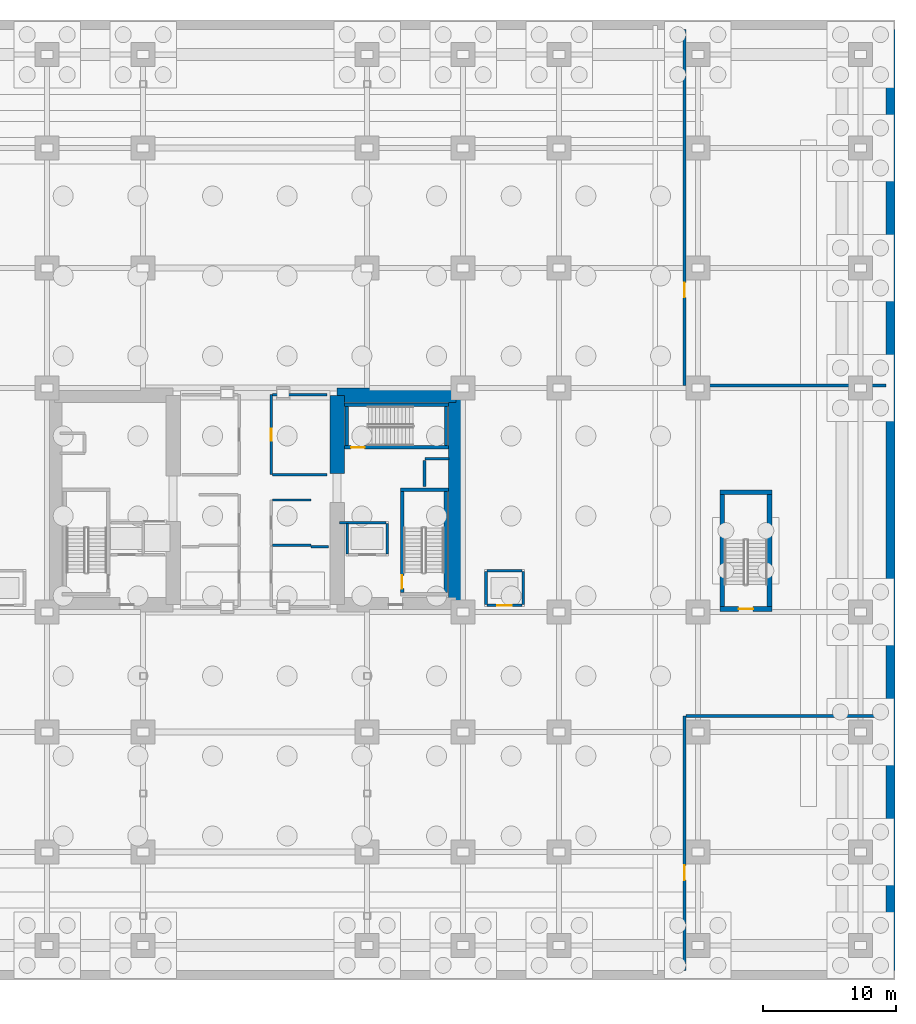
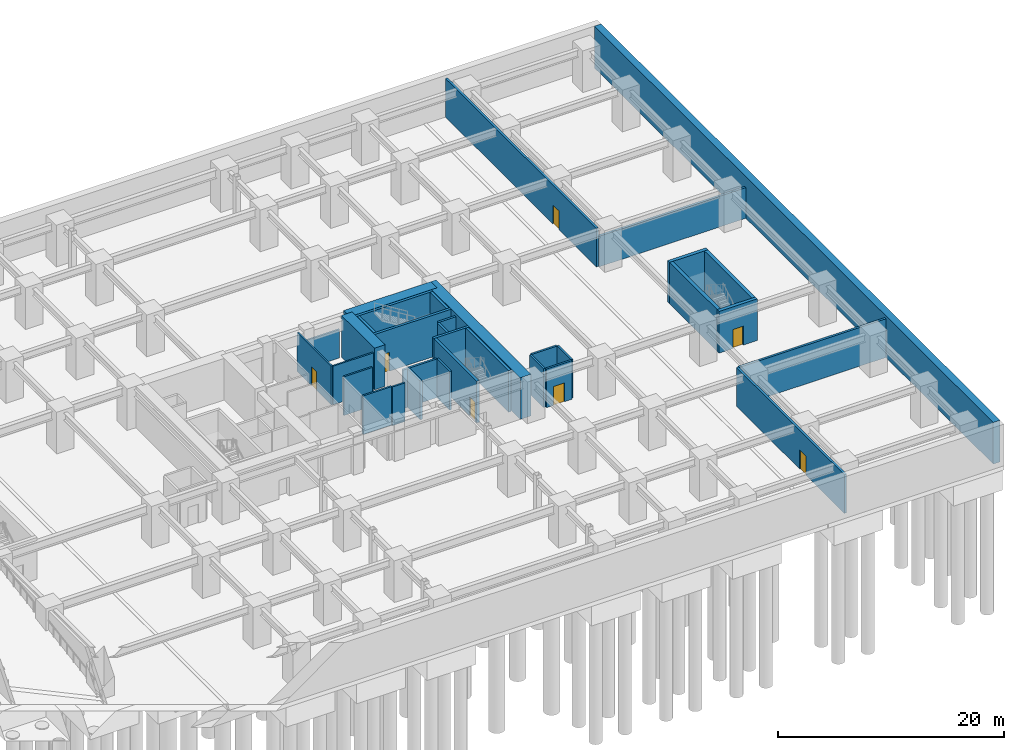
# One storey, part 13 of 23: 34 walls, 7 doors, 7 openings.
"""IFC4 building model written with IfcOpenShell, lengths in metres."""

from ifc_helpers import new_model, si_unit, direction, frame, frame_2d, origin, place, context, subcontext, project, spatial, rectangle, extrude, material, layer, layer_set, type_object, element, fill, save


model = new_model("IFC4")

# Units and contexts
model_context = context("Model", 3, precision=1e-05, world=origin(), true_north=direction((0.0, 1.0)))
body_context = subcontext(model_context, "Body", "Model", "MODEL_VIEW")
ifc_project = project(units=[si_unit("LENGTHUNIT", "METRE"), si_unit("AREAUNIT", "SQUARE_METRE"), si_unit("VOLUMEUNIT", "CUBIC_METRE"), si_unit("PLANEANGLEUNIT", "RADIAN"), si_unit("MASSUNIT", "GRAM", prefix="KILO")], contexts=[model_context])

# Site, building, storey
site_placement = place(None, origin())
site = spatial("IfcSite", under=ifc_project, at=site_placement, CompositionType="ELEMENT")
building_placement = place(site_placement, origin())
building = spatial("IfcBuilding", under=site, at=building_placement, Name="Kiyonajd Concourse Tower", CompositionType="ELEMENT")
storey_placement = place(building_placement, frame((0.0, 0.0, -9.0)))
storey = spatial("IfcBuildingStorey", under=building, at=storey_placement, Name="B2", CompositionType="ELEMENT", Elevation=-9.0)

# Walls
ifc_material_1 = material(Name="Concrete C80/95", Category="concrete")
ifc_layer_1 = layer(ifc_material_1, 1.10009765625)
ifc_layer_set_1 = layer_set([ifc_layer_1], Name="Concrete C80/95")
wall_type_1 = type_object("IfcWallType", Name="WL-CORE-1100", PredefinedType="SHEAR", material=ifc_layer_set_1)
wall_1_placement = place(storey_placement, frame((54.14990234375, 38.0, 0.0), z_axis=(0.0, 0.0, 1.0), x_axis=(0.0, 1.0, 0.0)))
element("IfcWall", 1, at=wall_1_placement, inside=storey, type_object=wall_type_1, Name="B2 East Core Inner North Shear Wall", PredefinedType="SHEAR", context=body_context, shape_type="SweptSolid", body=[
    extrude(rectangle(XDim=5.85009765625, YDim=1.10009765625, at=frame_2d((2.925048828125, 0.0))), origin(), (0.0, 0.0, 1.0), 4.5),
])
wall_2_placement = place(storey_placement, frame((63.050048828125, 27.60009765625, 0.0), z_axis=(0.0, 0.0, 1.0), x_axis=(0.0, 1.0, 0.0)))
element("IfcWall", 2, at=wall_2_placement, inside=storey, type_object=wall_type_1, Name="B2 East Core Outer Shear Wall", PredefinedType="SHEAR", context=body_context, shape_type="SweptSolid", body=[
    extrude(rectangle(XDim=16.7998046875, YDim=1.10009765625, at=frame_2d((8.39990234375, 0.0))), origin(), (0.0, 0.0, 1.0), 4.5),
])
wall_3_placement = place(storey_placement, frame((54.14990234375, 43.85009765625, 0.0), z_axis=(0.0, 0.0, 1.0), x_axis=(1.0, 0.0, 0.0)))
element("IfcWall", 3, at=wall_3_placement, inside=storey, type_object=wall_type_1, Name="B2 East Core North Shear Wall", PredefinedType="SHEAR", context=body_context, shape_type="SweptSolid", body=[
    extrude(rectangle(XDim=8.900146484375, YDim=1.10009765625, at=frame_2d((4.4501953125, 0.0))), origin(), (0.0, 0.0, 1.0), 4.5),
])

# Wall, opening, door
ifc_material_2 = material(Name="Gypsum Board on Cold-Formed Steel Stud", Category="steel")
ifc_layer_2 = layer(ifc_material_2, 0.22998046875)
ifc_layer_set_2 = layer_set([ifc_layer_2], Name="Gypsum Board on Cold-Formed Steel Stud")
wall_type_2 = type_object("IfcWallType", Name="WL-FIRE-230", PredefinedType="PARTITIONING", material=ifc_layer_set_2)
wall_4_placement = place(storey_placement, frame((80.199951171875, 0.695068359375, 0.0), z_axis=(0.0, 0.0, 1.0), x_axis=(0.0, 1.0, 0.0)))
wall_4 = element("IfcWall", 4, at=wall_4_placement, inside=storey, type_object=wall_type_2, Name="B2 Interior Partition Wall", PredefinedType="PARTITIONING", context=body_context, shape_type="SweptSolid", body=[
    extrude(rectangle(XDim=19.10498046875, YDim=0.22998046875, at=frame_2d((9.552490234375, 0.0))), origin(), (0.0, 0.0, 1.0), 4.179931640625),
])
opening_1_placement = place(wall_4_placement, frame((6.804931640625, 0.0, 0.0)))
opening_1 = element("IfcOpeningElement", 5, at=opening_1_placement, cuts=wall_4, Name="Opening DF2", PredefinedType="OPENING", context=body_context, shape_type="SweptSolid", body=[
    extrude(rectangle(XDim=1.10009765625, YDim=2.050048828125, at=frame_2d((0.550048828125, 1.02490234375))), frame((0.0, 0.125, 0.0), z_axis=(0.0, -1.0, 0.0), x_axis=(1.0, 0.0, 0.0)), (0.0, 0.0, 1.0), 0.25),
])
ifc_material_3 = material(Name="Brushed Stainless Steel Cab Assembly", Category="steel")
door_type_1 = type_object("IfcDoorType", Name="DR-FD90-1100", OperationType="NOTDEFINED", PredefinedType="DOOR", material=ifc_material_3)
door_1_placement = place(opening_1_placement, origin())
door_1 = element("IfcDoor", 6, at=door_1_placement, inside=storey, type_object=door_type_1, Name="B2 Interior Door", OperationType="SINGLE_SWING_LEFT", OverallHeight=2.050048828125, OverallWidth=1.10009765625, PredefinedType="DOOR", context=body_context, shape_type="SweptSolid", body=[
    extrude(rectangle(XDim=1.10009765625, YDim=2.050048828125, at=frame_2d((0.550048828125, 1.02490234375))), frame((0.0, 0.02490234375, 0.0), z_axis=(0.0, -1.0, 0.0), x_axis=(1.0, 0.0, 0.0)), (0.0, 0.0, 1.0), 0.050048828125),
])
fill(opening_1, door_1)

# Wall
wall_5_placement = place(storey_placement, frame((80.31689453125, 19.800048828125, 0.0), z_axis=(0.0, 0.0, 1.0), x_axis=(1.0, 0.0, 0.0)))
element("IfcWall", 7, at=wall_5_placement, inside=storey, type_object=wall_type_2, Name="B2 Interior Partition Wall", PredefinedType="PARTITIONING", context=body_context, shape_type="SweptSolid", body=[
    extrude(rectangle(XDim=14.988037109375, YDim=0.22998046875, at=frame_2d((7.494140625, 0.0))), origin(), (0.0, 0.0, 1.0), 4.179931640625),
])

# Wall, opening, door
wall_6_placement = place(storey_placement, frame((80.199951171875, 44.60009765625, 0.0), z_axis=(0.0, 0.0, 1.0), x_axis=(0.0, 1.0, 0.0)))
wall_6 = element("IfcWall", 8, at=wall_6_placement, inside=storey, type_object=wall_type_2, Name="B2 Interior Partition Wall", PredefinedType="PARTITIONING", context=body_context, shape_type="SweptSolid", body=[
    extrude(rectangle(XDim=26.704833984375, YDim=0.22998046875, at=frame_2d((13.3525390625, 0.0))), origin(), (0.0, 0.0, 1.0), 4.179931640625),
])
opening_2_placement = place(wall_6_placement, frame((6.60009765625, 0.0, 0.0)))
opening_2 = element("IfcOpeningElement", 9, at=opening_2_placement, cuts=wall_6, Name="Opening DF2", PredefinedType="OPENING", context=body_context, shape_type="SweptSolid", body=[
    extrude(rectangle(XDim=1.10009765625, YDim=2.050048828125, at=frame_2d((0.550048828125, 1.02490234375))), frame((0.0, 0.125, 0.0), z_axis=(0.0, -1.0, 0.0), x_axis=(1.0, 0.0, 0.0)), (0.0, 0.0, 1.0), 0.25),
])
door_2_placement = place(opening_2_placement, origin())
door_2 = element("IfcDoor", 10, at=door_2_placement, inside=storey, type_object=door_type_1, Name="B2 Interior Door", OperationType="SINGLE_SWING_RIGHT", OverallHeight=2.050048828125, OverallWidth=1.10009765625, PredefinedType="DOOR", context=body_context, shape_type="SweptSolid", body=[
    extrude(rectangle(XDim=1.10009765625, YDim=2.050048828125, at=frame_2d((0.550048828125, 1.02490234375))), frame((0.0, 0.02490234375, 0.0), z_axis=(0.0, -1.0, 0.0), x_axis=(1.0, 0.0, 0.0)), (0.0, 0.0, 1.0), 0.050048828125),
])
fill(opening_2, door_2)

# Walls
wall_7_placement = place(storey_placement, frame((80.31689453125, 44.60009765625, 0.0), z_axis=(0.0, 0.0, 1.0), x_axis=(1.0, 0.0, 0.0)))
element("IfcWall", 11, at=wall_7_placement, inside=storey, type_object=wall_type_2, Name="B2 Interior Partition Wall", PredefinedType="PARTITIONING", context=body_context, shape_type="SweptSolid", body=[
    extrude(rectangle(XDim=14.988037109375, YDim=0.22998046875, at=frame_2d((7.494140625, 0.0))), origin(), (0.0, 0.0, 1.0), 3.31005859375),
])
ifc_material_4 = material(Name="Concrete C50/60", Category="concrete")
ifc_layer_3 = layer(ifc_material_4, 0.699951171875)
ifc_layer_set_3 = layer_set([ifc_layer_3], Name="Concrete C50/60")
wall_type_3 = type_object("IfcWallType", Name="WL-RET-700", PredefinedType="SOLIDWALL", material=ifc_layer_set_3)
wall_8_placement = place(storey_placement, frame((95.64990234375, 0.699951171875, 0.0), z_axis=(0.0, 0.0, 1.0), x_axis=(0.0, 1.0, 0.0)))
element("IfcWall", 12, at=wall_8_placement, inside=storey, type_object=wall_type_3, Name="B2 East Basement Retaining Wall", PredefinedType="SOLIDWALL", context=body_context, shape_type="SweptSolid", body=[
    extrude(rectangle(XDim=70.60009765625, YDim=0.699951171875, at=frame_2d((35.300048828125, 0.0))), origin(), (0.0, 0.0, 1.0), 4.5),
])
ifc_layer_4 = layer(ifc_material_2, 0.2099609375)
ifc_layer_set_4 = layer_set([ifc_layer_4], Name="Gypsum Board on Cold-Formed Steel Stud")
wall_type_4 = type_object("IfcWallType", Name="WL-SHAFT-210", PredefinedType="PARTITIONING", material=ifc_layer_set_4)
wall_9_placement = place(storey_placement, frame((60.719970703125, 39.10009765625, 0.0), z_axis=(0.0, 0.0, 1.0), x_axis=(1.0, 0.0, 0.0)))
element("IfcWall", 13, at=wall_9_placement, inside=storey, type_object=wall_type_4, Name="B2 Shaft Enclosure Wall", PredefinedType="PARTITIONING", context=body_context, shape_type="SweptSolid", body=[
    extrude(rectangle(XDim=1.800048828125, YDim=0.2099609375, at=frame_2d((0.89990234375, 0.0))), origin(), (0.0, 0.0, 1.0), 4.179931640625),
])
wall_10_placement = place(storey_placement, frame((60.699951171875, 37.02001953125, 0.0), z_axis=(0.0, 0.0, 1.0), x_axis=(0.0, 1.0, 0.0)))
element("IfcWall", 14, at=wall_10_placement, inside=storey, type_object=wall_type_4, Name="B2 Shaft Enclosure Wall", PredefinedType="PARTITIONING", context=body_context, shape_type="SweptSolid", body=[
    extrude(rectangle(XDim=1.9599609375, YDim=0.2099609375, at=frame_2d((0.97998046875, 0.0))), origin(), (0.0, 0.0, 1.0), 4.179931640625),
])
wall_11_placement = place(storey_placement, frame((54.320068359375, 34.300048828125, 0.0), z_axis=(0.0, 0.0, 1.0), x_axis=(1.0, 0.0, 0.0)))
element("IfcWall", 15, at=wall_11_placement, inside=storey, type_object=wall_type_4, Name="B2 Shaft Enclosure Wall", PredefinedType="PARTITIONING", context=body_context, shape_type="SweptSolid", body=[
    extrude(rectangle(XDim=3.47998046875, YDim=0.2099609375, at=frame_2d((1.739990234375, 0.0))), origin(), (0.0, 0.0, 1.0), 4.179931640625),
])
for number, where, z_axis, x_axis, name in (
    (16, (54.89990234375, 31.9599609375, 0.0), (0.0, 0.0, 1.0), (0.0, 1.0, 0.0), "B2 Shaft Enclosure Wall"),
    (17, (57.89990234375, 31.9599609375, 0.0), (0.0, 0.0, 1.0), (0.0, 1.0, 0.0), "B2 Shaft Enclosure Wall"),
):
    element("IfcWall", number, at=place(storey_placement, frame(where, z_axis=z_axis, x_axis=x_axis)), inside=storey, type_object=wall_type_4, Name=name, PredefinedType="PARTITIONING", context=body_context, shape_type="SweptSolid", body=[
        extrude(rectangle(XDim=2.280029296875, YDim=0.2099609375, at=frame_2d((1.14013671875, 0.0))), origin(), (0.0, 0.0, 1.0), 4.179931640625),
    ])

# Wall, opening, door
wall_12_placement = place(storey_placement, frame((65.39990234375, 28.10009765625, 0.0), z_axis=(0.0, 0.0, 1.0), x_axis=(1.0, 0.0, 0.0)))
wall_12 = element("IfcWall", 18, at=wall_12_placement, inside=storey, type_object=wall_type_4, Name="B2 Shaft Enclosure Wall", PredefinedType="PARTITIONING", context=body_context, shape_type="SweptSolid", body=[
    extrude(rectangle(XDim=2.60009765625, YDim=0.2099609375, at=frame_2d((1.300048828125, 0.0))), origin(), (0.0, 0.0, 1.0), 4.179931640625),
])
opening_3_placement = place(wall_12_placement, frame((0.75, 0.0, 0.0)))
opening_3 = element("IfcOpeningElement", 19, at=opening_3_placement, cuts=wall_12, Name="Opening LD1", PredefinedType="OPENING", context=body_context, shape_type="SweptSolid", body=[
    extrude(rectangle(XDim=1.10009765625, YDim=2.0400390625, at=frame_2d((0.550048828125, 1.02001953125))), frame((0.0, 0.114990234375, 0.0), z_axis=(0.0, -1.0, 0.0), x_axis=(1.0, 0.0, 0.0)), (0.0, 0.0, 1.0), 0.22998046875),
])
door_type_2 = type_object("IfcDoorType", Name="DR-LD-1100", OperationType="DOUBLE_DOOR_SLIDING", PredefinedType="DOOR", material=ifc_material_3)
door_3_placement = place(opening_3_placement, origin())
door_3 = element("IfcDoor", 20, at=door_3_placement, inside=storey, type_object=door_type_2, Name="B2 Lift PD2 Sliding Landing Door", OperationType="DOUBLE_DOOR_SLIDING", OverallHeight=2.0400390625, OverallWidth=1.10009765625, PredefinedType="DOOR", context=body_context, shape_type="SweptSolid", body=[
    extrude(rectangle(XDim=1.10009765625, YDim=2.0400390625, at=frame_2d((0.550048828125, 1.02001953125))), frame((0.0, 0.02490234375, 0.0), z_axis=(0.0, -1.0, 0.0), x_axis=(1.0, 0.0, 0.0)), (0.0, 0.0, 1.0), 0.050048828125),
])
fill(opening_3, door_3)

# Walls
wall_13_placement = place(storey_placement, frame((65.39990234375, 30.699951171875, 0.0), z_axis=(0.0, 0.0, 1.0), x_axis=(1.0, 0.0, 0.0)))
element("IfcWall", 21, at=wall_13_placement, inside=storey, type_object=wall_type_4, Name="B2 Shaft Enclosure Wall", PredefinedType="PARTITIONING", context=body_context, shape_type="SweptSolid", body=[
    extrude(rectangle(XDim=2.60009765625, YDim=0.2099609375, at=frame_2d((1.300048828125, 0.0))), origin(), (0.0, 0.0, 1.0), 4.179931640625),
])
for number, where, z_axis, x_axis, name in (
    (22, (65.300048828125, 28.159912109375, 0.0), (0.0, 0.0, 1.0), (0.0, 1.0, 0.0), "B2 Shaft Enclosure Wall"),
    (23, (68.10009765625, 28.159912109375, 0.0), (0.0, 0.0, 1.0), (0.0, 1.0, 0.0), "B2 Shaft Enclosure Wall"),
):
    element("IfcWall", number, at=place(storey_placement, frame(where, z_axis=z_axis, x_axis=x_axis)), inside=storey, type_object=wall_type_4, Name=name, PredefinedType="PARTITIONING", context=body_context, shape_type="SweptSolid", body=[
        extrude(rectangle(XDim=2.47998046875, YDim=0.2099609375, at=frame_2d((1.239990234375, 0.0))), origin(), (0.0, 0.0, 1.0), 4.179931640625),
    ])
ifc_layer_5 = layer(ifc_material_2, 0.169921875)
ifc_layer_set_5 = layer_set([ifc_layer_5], Name="Gypsum Board on Cold-Formed Steel Stud")
wall_type_5 = type_object("IfcWallType", Name="WL-SMK-170", PredefinedType="PARTITIONING", material=ifc_layer_set_5)
for number, where, z_axis, x_axis, name in (
    (24, (49.287109375, 32.60009765625, 0.0), (0.0, 0.0, 1.0), (1.0, 0.0, 0.0), "B2 Interior Partition Wall"),
    (25, (49.287109375, 36.0, 0.0), (0.0, 0.0, 1.0), (1.0, 0.0, 0.0), "B2 Interior Partition Wall"),
):
    element("IfcWall", number, at=place(storey_placement, frame(where, z_axis=z_axis, x_axis=x_axis)), inside=storey, type_object=wall_type_5, Name=name, PredefinedType="PARTITIONING", context=body_context, shape_type="SweptSolid", body=[
        extrude(rectangle(XDim=2.912841796875, YDim=0.169921875, at=frame_2d((1.45654296875, 0.0))), origin(), (0.0, 0.0, 1.0), 4.179931640625),
    ])
wall_14_placement = place(storey_placement, frame((52.199951171875, 32.5, 0.0), z_axis=(0.0, 0.0, 1.0), x_axis=(1.0, 0.0, 0.0)))
element("IfcWall", 26, at=wall_14_placement, inside=storey, type_object=wall_type_5, Name="B2 Interior Partition Wall", PredefinedType="PARTITIONING", context=body_context, shape_type="SweptSolid", body=[
    extrude(rectangle(XDim=1.300048828125, YDim=0.169921875, at=frame_2d((0.64990234375, 0.0))), origin(), (0.0, 0.0, 1.0), 4.179931640625),
])

# Wall, opening, door
wall_15_placement = place(storey_placement, frame((49.199951171875, 37.89990234375, 0.0), z_axis=(0.0, 0.0, 1.0), x_axis=(0.0, 1.0, 0.0)))
wall_15 = element("IfcWall", 27, at=wall_15_placement, inside=storey, type_object=wall_type_5, Name="B2 Interior Partition Wall", PredefinedType="PARTITIONING", context=body_context, shape_type="SweptSolid", body=[
    extrude(rectangle(XDim=6.0, YDim=0.169921875, at=frame_2d((3.0, 0.0))), origin(), (0.0, 0.0, 1.0), 4.179931640625),
])
opening_4_placement = place(wall_15_placement, frame((2.550048828125, 0.0, 0.0)))
opening_4 = element("IfcOpeningElement", 28, at=opening_4_placement, cuts=wall_15, Name="Opening DI2", PredefinedType="OPENING", context=body_context, shape_type="SweptSolid", body=[
    extrude(rectangle(XDim=0.89990234375, YDim=2.02001953125, at=frame_2d((0.449951171875, 1.010009765625))), frame((0.0, 0.094970703125, 0.0), z_axis=(0.0, -1.0, 0.0), x_axis=(1.0, 0.0, 0.0)), (0.0, 0.0, 1.0), 0.18994140625),
])
ifc_material_5 = material(Name="Natural Oak Acoustic Timber Veneer", Category="wood")
door_type_3 = type_object("IfcDoorType", Name="DR-INT-900", OperationType="NOTDEFINED", PredefinedType="DOOR", material=ifc_material_5)
door_4_placement = place(opening_4_placement, origin())
door_4 = element("IfcDoor", 29, at=door_4_placement, inside=storey, type_object=door_type_3, Name="B2 Interior Door", OperationType="SINGLE_SWING_RIGHT", OverallHeight=2.02001953125, OverallWidth=0.89990234375, PredefinedType="DOOR", context=body_context, shape_type="SweptSolid", body=[
    extrude(rectangle(XDim=0.89990234375, YDim=2.02001953125, at=frame_2d((0.449951171875, 1.010009765625))), frame((0.0, 0.02490234375, 0.0), z_axis=(0.0, -1.0, 0.0), x_axis=(1.0, 0.0, 0.0)), (0.0, 0.0, 1.0), 0.050048828125),
])
fill(opening_4, door_4)

# Walls
wall_16_placement = place(storey_placement, frame((49.287109375, 37.89990234375, 0.0), z_axis=(0.0, 0.0, 1.0), x_axis=(1.0, 0.0, 0.0)))
element("IfcWall", 30, at=wall_16_placement, inside=storey, type_object=wall_type_5, Name="B2 Interior Partition Wall", PredefinedType="PARTITIONING", context=body_context, shape_type="SweptSolid", body=[
    extrude(rectangle(XDim=4.11279296875, YDim=0.169921875, at=frame_2d((2.056396484375, 0.0))), origin(), (0.0, 0.0, 1.0), 4.179931640625),
])
wall_17_placement = place(storey_placement, frame((49.287109375, 43.89990234375, 0.0), z_axis=(0.0, 0.0, 1.0), x_axis=(1.0, 0.0, 0.0)))
element("IfcWall", 31, at=wall_17_placement, inside=storey, type_object=wall_type_5, Name="B2 Interior Partition Wall", PredefinedType="PARTITIONING", context=body_context, shape_type="SweptSolid", body=[
    extrude(rectangle(XDim=4.11279296875, YDim=0.169921875, at=frame_2d((2.056396484375, 0.0))), origin(), (0.0, 0.0, 1.0), 3.06494140625),
])
ifc_layer_6 = layer(ifc_material_4, 0.260009765625)
ifc_layer_set_6 = layer_set([ifc_layer_6], Name="Concrete C50/60")
wall_type_6 = type_object("IfcWallType", Name="WL-STAIR-260", PredefinedType="SHEAR", material=ifc_layer_set_6)
wall_18_placement = place(storey_placement, frame((58.889892578125, 36.780029296875, 0.0), z_axis=(0.0, 0.0, 1.0), x_axis=(1.0, 0.0, 0.0)))
element("IfcWall", 32, at=wall_18_placement, inside=storey, type_object=wall_type_6, Name="B2 Stair ST2 Structural North Wall", PredefinedType="SHEAR", context=body_context, shape_type="SweptSolid", body=[
    extrude(rectangle(XDim=3.610107421875, YDim=0.260009765625, at=frame_2d((1.80517578125, 0.0))), origin(), (0.0, 0.0, 1.0), 4.5),
])

# Wall, opening, door
wall_19_placement = place(storey_placement, frame((59.02001953125, 29.050048828125, 0.0), z_axis=(0.0, 0.0, 1.0), x_axis=(0.0, 1.0, 0.0)))
wall_19 = element("IfcWall", 33, at=wall_19_placement, inside=storey, type_object=wall_type_6, Name="B2 Stair ST2 Structural West Wall", PredefinedType="SHEAR", context=body_context, shape_type="SweptSolid", body=[
    extrude(rectangle(XDim=7.599853515625, YDim=0.260009765625, at=frame_2d((3.7998046875, 0.0))), origin(), (0.0, 0.0, 1.0), 4.5),
])
opening_5_placement = place(wall_19_placement, frame((0.300048828125, 0.0, 0.0)))
opening_5 = element("IfcOpeningElement", 34, at=opening_5_placement, cuts=wall_19, Name="Opening DF1", PredefinedType="OPENING", context=body_context, shape_type="SweptSolid", body=[
    extrude(rectangle(XDim=1.0, YDim=2.0400390625, at=frame_2d((0.5, 1.02001953125))), frame((0.0, 0.139892578125, 0.0), z_axis=(0.0, -1.0, 0.0), x_axis=(1.0, 0.0, 0.0)), (0.0, 0.0, 1.0), 0.280029296875),
])
door_type_4 = type_object("IfcDoorType", Name="DR-FD90-1000", OperationType="NOTDEFINED", PredefinedType="DOOR", material=ifc_material_3)
door_5_placement = place(opening_5_placement, origin())
door_5 = element("IfcDoor", 35, at=door_5_placement, inside=storey, type_object=door_type_4, Name="B2 Stair ST2 FSAE Door", OperationType="SINGLE_SWING_RIGHT", OverallHeight=2.0400390625, OverallWidth=1.0, PredefinedType="DOOR", context=body_context, shape_type="SweptSolid", body=[
    extrude(rectangle(XDim=1.0, YDim=2.0400390625, at=frame_2d((0.5, 1.02001953125))), frame((0.0, 0.02490234375, 0.0), z_axis=(0.0, -1.0, 0.0), x_axis=(1.0, 0.0, 0.0)), (0.0, 0.0, 1.0), 0.050048828125),
])
fill(opening_5, door_5)

# Wall
wall_20_placement = place(storey_placement, frame((62.280029296875, 29.050048828125, 0.0), z_axis=(0.0, 0.0, 1.0), x_axis=(0.0, 1.0, 0.0)))
element("IfcWall", 36, at=wall_20_placement, inside=storey, type_object=wall_type_6, Name="B2 Stair ST2 Structural East Wall", PredefinedType="SHEAR", context=body_context, shape_type="SweptSolid", body=[
    extrude(rectangle(XDim=7.599853515625, YDim=0.260009765625, at=frame_2d((3.7998046875, 0.0))), origin(), (0.0, 0.0, 1.0), 4.5),
])

# Wall, opening, door
wall_21_placement = place(storey_placement, frame((54.699951171875, 39.949951171875, 0.0), z_axis=(0.0, 0.0, 1.0), x_axis=(1.0, 0.0, 0.0)))
wall_21 = element("IfcWall", 37, at=wall_21_placement, inside=storey, type_object=wall_type_6, Name="B2 Stair ST3 Structural South Wall", PredefinedType="SHEAR", context=body_context, shape_type="SweptSolid", body=[
    extrude(rectangle(XDim=7.800048828125, YDim=0.260009765625, at=frame_2d((3.89990234375, 0.0))), origin(), (0.0, 0.0, 1.0), 4.5),
])
opening_6_placement = place(wall_21_placement, frame((0.5, 0.0, 0.0)))
opening_6 = element("IfcOpeningElement", 38, at=opening_6_placement, cuts=wall_21, Name="Opening DF1", PredefinedType="OPENING", context=body_context, shape_type="SweptSolid", body=[
    extrude(rectangle(XDim=1.0, YDim=2.0400390625, at=frame_2d((0.5, 1.02001953125))), frame((0.0, 0.139892578125, 0.0), z_axis=(0.0, -1.0, 0.0), x_axis=(1.0, 0.0, 0.0)), (0.0, 0.0, 1.0), 0.280029296875),
])
door_6_placement = place(opening_6_placement, origin())
door_6 = element("IfcDoor", 39, at=door_6_placement, inside=storey, type_object=door_type_4, Name="B2 Stair ST3 Enclosure Door", OperationType="SINGLE_SWING_LEFT", OverallHeight=2.0400390625, OverallWidth=1.0, PredefinedType="DOOR", context=body_context, shape_type="SweptSolid", body=[
    extrude(rectangle(XDim=1.0, YDim=2.0400390625, at=frame_2d((0.5, 1.02001953125))), frame((0.0, 0.02490234375, 0.0), z_axis=(0.0, -1.0, 0.0), x_axis=(1.0, 0.0, 0.0)), (0.0, 0.0, 1.0), 0.050048828125),
])
fill(opening_6, door_6)

# Walls
wall_22_placement = place(storey_placement, frame((54.699951171875, 43.14990234375, 0.0), z_axis=(0.0, 0.0, 1.0), x_axis=(1.0, 0.0, 0.0)))
element("IfcWall", 40, at=wall_22_placement, inside=storey, type_object=wall_type_6, Name="B2 Stair ST3 Structural North Wall", PredefinedType="SHEAR", context=body_context, shape_type="SweptSolid", body=[
    extrude(rectangle(XDim=7.800048828125, YDim=0.260009765625, at=frame_2d((3.89990234375, 0.0))), origin(), (0.0, 0.0, 1.0), 4.5),
])
for number, where, z_axis, x_axis, name in (
    (41, (54.85009765625, 40.080078125, 0.0), (0.0, 0.0, 1.0), (0.0, 1.0, 0.0), "B2 Stair ST3 Structural West Wall"),
    (42, (62.31005859375, 40.080078125, 0.0), (0.0, 0.0, 1.0), (0.0, 1.0, 0.0), "B2 Stair ST3 Structural East Wall"),
):
    element("IfcWall", number, at=place(storey_placement, frame(where, z_axis=z_axis, x_axis=x_axis)), inside=storey, type_object=wall_type_6, Name=name, PredefinedType="SHEAR", context=body_context, shape_type="SweptSolid", body=[
        extrude(rectangle(XDim=2.93994140625, YDim=0.260009765625, at=frame_2d((1.469970703125, 0.0))), origin(), (0.0, 0.0, 1.0), 4.5),
    ])

# Wall, opening, door
ifc_layer_7 = layer(ifc_material_4, 0.35009765625)
ifc_layer_set_7 = layer_set([ifc_layer_7], Name="Concrete C50/60")
wall_type_7 = type_object("IfcWallType", Name="WL-STAIR-350", PredefinedType="SHEAR", material=ifc_layer_set_7)
wall_23_placement = place(storey_placement, frame((82.85009765625, 27.824951171875, 0.0), z_axis=(0.0, 0.0, 1.0), x_axis=(1.0, 0.0, 0.0)))
wall_23 = element("IfcWall", 43, at=wall_23_placement, inside=storey, type_object=wall_type_7, Name="B2 Stair ST5 Structural South Wall", PredefinedType="SHEAR", context=body_context, shape_type="SweptSolid", body=[
    extrude(rectangle(XDim=3.89990234375, YDim=0.35009765625, at=frame_2d((1.949951171875, 0.0))), origin(), (0.0, 0.0, 1.0), 4.5),
])
opening_7_placement = place(wall_23_placement, frame((1.39990234375, 0.0, 0.0)))
opening_7 = element("IfcOpeningElement", 44, at=opening_7_placement, cuts=wall_23, Name="Opening DF2", PredefinedType="OPENING", context=body_context, shape_type="SweptSolid", body=[
    extrude(rectangle(XDim=1.10009765625, YDim=2.050048828125, at=frame_2d((0.550048828125, 1.02490234375))), frame((0.0, 0.18505859375, 0.0), z_axis=(0.0, -1.0, 0.0), x_axis=(1.0, 0.0, 0.0)), (0.0, 0.0, 1.0), 0.3701171875),
])
door_7_placement = place(opening_7_placement, origin())
door_7 = element("IfcDoor", 45, at=door_7_placement, inside=storey, type_object=door_type_1, Name="B2 Stair ST5 Fire Door", OperationType="SINGLE_SWING_RIGHT", OverallHeight=2.050048828125, OverallWidth=1.10009765625, PredefinedType="DOOR", context=body_context, shape_type="SweptSolid", body=[
    extrude(rectangle(XDim=1.10009765625, YDim=2.050048828125, at=frame_2d((0.550048828125, 1.02490234375))), frame((0.0, 0.02490234375, 0.0), z_axis=(0.0, -1.0, 0.0), x_axis=(1.0, 0.0, 0.0)), (0.0, 0.0, 1.0), 0.050048828125),
])
fill(opening_7, door_7)

# Walls
wall_24_placement = place(storey_placement, frame((82.85009765625, 36.574951171875, 0.0), z_axis=(0.0, 0.0, 1.0), x_axis=(1.0, 0.0, 0.0)))
element("IfcWall", 46, at=wall_24_placement, inside=storey, type_object=wall_type_7, Name="B2 Stair ST5 Structural North Wall", PredefinedType="SHEAR", context=body_context, shape_type="SweptSolid", body=[
    extrude(rectangle(XDim=3.89990234375, YDim=0.35009765625, at=frame_2d((1.949951171875, 0.0))), origin(), (0.0, 0.0, 1.0), 4.5),
])
for number, where, z_axis, x_axis, name in (
    (47, (83.02490234375, 28.0, 0.0), (0.0, 0.0, 1.0), (0.0, 1.0, 0.0), "B2 Stair ST5 Structural West Wall"),
    (48, (86.574951171875, 28.0, 0.0), (0.0, 0.0, 1.0), (0.0, 1.0, 0.0), "B2 Stair ST5 Structural East Wall"),
):
    element("IfcWall", number, at=place(storey_placement, frame(where, z_axis=z_axis, x_axis=x_axis)), inside=storey, type_object=wall_type_7, Name=name, PredefinedType="SHEAR", context=body_context, shape_type="SweptSolid", body=[
        extrude(rectangle(XDim=8.39990234375, YDim=0.35009765625, at=frame_2d((4.199951171875, 0.0))), origin(), (0.0, 0.0, 1.0), 4.5),
    ])

save(model, "model.ifc")
